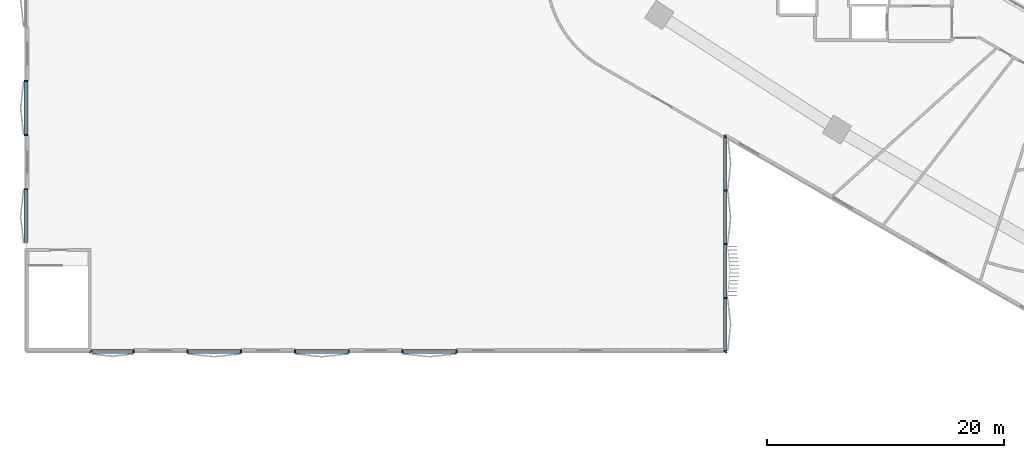
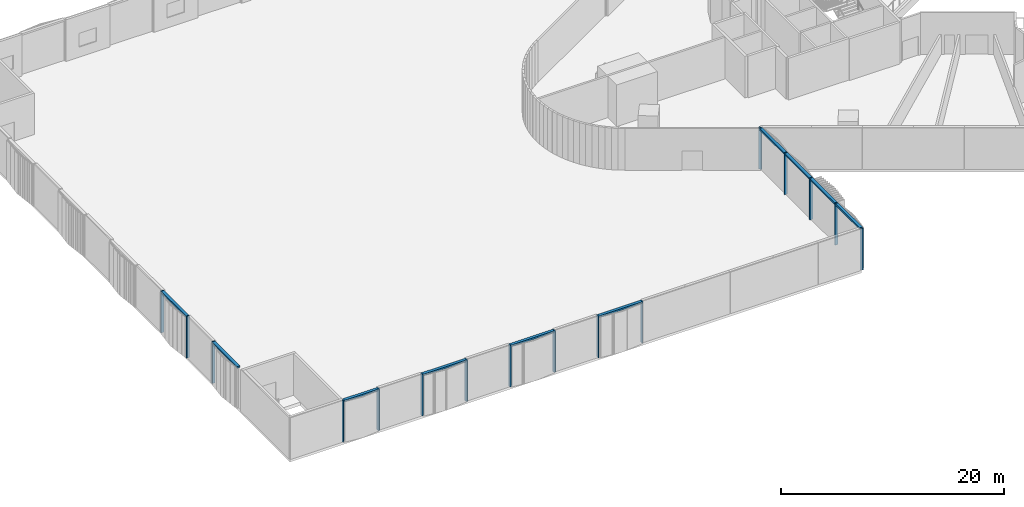
# One storey, part 2 of 24: 24 members, 3 elements without a shape of their own.
"""IFC4 building model written with IfcOpenShell, lengths in metres."""

from ifc_helpers import new_model, si_unit, direction, frame, origin, origin_2d, place, context, subcontext, project, spatial, rectangle, extrude, material, material_profile, profile_set, type_object, element, aggregate, save


model = new_model("IFC4")

# Units and contexts
model_context = context("Model", 3, precision=1e-05, world=origin(), true_north=direction((0.0, 1.0)))
body_context = subcontext(model_context, "Body", "Model", "MODEL_VIEW")
ifc_project = project(units=[si_unit("LENGTHUNIT", "METRE"), si_unit("AREAUNIT", "SQUARE_METRE"), si_unit("VOLUMEUNIT", "CUBIC_METRE"), si_unit("PLANEANGLEUNIT", "RADIAN"), si_unit("MASSUNIT", "GRAM", prefix="KILO")], contexts=[model_context])

# Site, building, storey
site_placement = place(None, origin())
site = spatial("IfcSite", under=ifc_project, at=site_placement, CompositionType="ELEMENT")
building_placement = place(site_placement, origin())
building = spatial("IfcBuilding", under=site, at=building_placement, Name="Tamra Quay Hotel Tower", CompositionType="ELEMENT")
storey_placement = place(building_placement, frame((0.0, 0.0, 19.5)))
storey = spatial("IfcBuildingStorey", under=building, at=storey_placement, Name="L03", CompositionType="ELEMENT", Elevation=19.5)

# Curtain wall, members
ifc_material = material(Name="Aluminium 6063 anodised dark grey", Category="aluminium")
curtain_wall_type = type_object("IfcCurtainWallType", Name="CW4 CURTAIN WALL", PredefinedType="NOTDEFINED", material=ifc_material)
curtain_wall_1_placement = place(storey_placement, origin())
curtain_wall_1 = element("IfcCurtainWall", 1, at=curtain_wall_1_placement, inside=storey, type_object=curtain_wall_type, Name="CW4 east face L03", PredefinedType="NOTDEFINED")
ifc_material_profile_1 = material_profile(ifc_material, rectangle(XDim=0.300048828125, YDim=0.1201171875, at=origin_2d()), Name="MULLION 120X300")
ifc_profile_set_1 = profile_set([ifc_material_profile_1], Name="Aluminium 6063 anodised dark grey")
member_type_1 = type_object("IfcMemberType", Name="MULLION CW4", PredefinedType="MULLION", material=ifc_profile_set_1)
member_1_placement = place(storey_placement, frame((-30.0, -32.0, 0.0), z_axis=(0.0, 0.0, 1.0), x_axis=(0.707106781187, -0.707106781187, 0.0)))
member_1 = element("IfcMember", 2, at=member_1_placement, type_object=member_type_1, Name="CW4 mullion L03.E.1", PredefinedType="MULLION", context=body_context, shape_type="SweptSolid", body=[
    extrude(rectangle(XDim=0.300048828125, YDim=0.1201171875, at=origin_2d()), origin(), (0.0, 0.0, 1.0), 4.550048828125),
])
member_2_placement = place(storey_placement, frame((-30.0, -27.464111328125, 0.0), z_axis=(0.0, 0.0, 1.0), x_axis=(1.0, 0.0, 0.0)))
member_2 = element("IfcMember", 3, at=member_2_placement, type_object=member_type_1, Name="CW4 mullion L03.E.2", PredefinedType="MULLION", context=body_context, shape_type="SweptSolid", body=[
    extrude(rectangle(XDim=0.300048828125, YDim=0.1201171875, at=origin_2d()), origin(), (0.0, 0.0, 1.0), 4.550048828125),
])
member_3_placement = place(storey_placement, frame((-30.0, -22.92822265625, 0.0), z_axis=(0.0, 0.0, 1.0), x_axis=(1.0, 0.0, 0.0)))
member_3 = element("IfcMember", 4, at=member_3_placement, type_object=member_type_1, Name="CW4 mullion L03.E.3", PredefinedType="MULLION", context=body_context, shape_type="SweptSolid", body=[
    extrude(rectangle(XDim=0.300048828125, YDim=0.1201171875, at=origin_2d()), origin(), (0.0, 0.0, 1.0), 4.550048828125),
])
member_4_placement = place(storey_placement, frame((-30.0, -18.392333984375, 0.0), z_axis=(0.0, 0.0, 1.0), x_axis=(1.0, 0.0, 0.0)))
member_4 = element("IfcMember", 5, at=member_4_placement, type_object=member_type_1, Name="CW4 mullion L03.E.4", PredefinedType="MULLION", context=body_context, shape_type="SweptSolid", body=[
    extrude(rectangle(XDim=0.300048828125, YDim=0.1201171875, at=origin_2d()), origin(), (0.0, 0.0, 1.0), 4.550048828125),
])
member_5_placement = place(storey_placement, frame((-30.0, -13.8564453125, 0.0), z_axis=(0.0, 0.0, 1.0), x_axis=(0.5, -0.866025403784, 0.0)))
member_5 = element("IfcMember", 6, at=member_5_placement, type_object=member_type_1, Name="CW4 mullion L03.E.5", PredefinedType="MULLION", context=body_context, shape_type="SweptSolid", body=[
    extrude(rectangle(XDim=0.300048828125, YDim=0.1201171875, at=origin_2d()), origin(), (0.0, 0.0, 1.0), 4.550048828125),
])

curtain_wall_2_placement = place(storey_placement, origin())
curtain_wall_2 = element("IfcCurtainWall", 7, at=curtain_wall_2_placement, inside=storey, type_object=curtain_wall_type, Name="CW4 south-west face L03", PredefinedType="NOTDEFINED")
member_6_placement = place(storey_placement, frame((-83.60009765625, -32.0, 0.0), z_axis=(0.0, 0.0, 1.0), x_axis=(-0.707106781187, -0.707106781187, 0.0)))
member_6 = element("IfcMember", 8, at=member_6_placement, type_object=member_type_1, Name="CW4 mullion L03.SW.1", PredefinedType="MULLION", context=body_context, shape_type="SweptSolid", body=[
    extrude(rectangle(XDim=0.300048828125, YDim=0.1201171875, at=origin_2d()), origin(), (0.0, 0.0, 1.0), 4.550048828125),
])
member_7_placement = place(storey_placement, frame((-80.0078125, -32.0, 0.0), z_axis=(0.0, 0.0, 1.0), x_axis=(0.0, -1.0, 0.0)))
member_7 = element("IfcMember", 9, at=member_7_placement, type_object=member_type_1, Name="CW4 mullion L03.SW.2", PredefinedType="MULLION", context=body_context, shape_type="SweptSolid", body=[
    extrude(rectangle(XDim=0.300048828125, YDim=0.1201171875, at=origin_2d()), origin(), (0.0, 0.0, 1.0), 4.550048828125),
])
member_8_placement = place(storey_placement, frame((-75.46142578125, -32.0, 0.0), z_axis=(0.0, 0.0, 1.0), x_axis=(0.0, -1.0, 0.0)))
member_8 = element("IfcMember", 10, at=member_8_placement, type_object=member_type_1, Name="CW4 mullion L03.SW.2", PredefinedType="MULLION", context=body_context, shape_type="SweptSolid", body=[
    extrude(rectangle(XDim=0.300048828125, YDim=0.1201171875, at=origin_2d()), origin(), (0.0, 0.0, 1.0), 4.550048828125),
])
member_9_placement = place(storey_placement, frame((-70.915283203125, -32.0, 0.0), z_axis=(0.0, 0.0, 1.0), x_axis=(0.0, -1.0, 0.0)))
member_9 = element("IfcMember", 11, at=member_9_placement, type_object=member_type_1, Name="CW4 mullion L03.SW.3", PredefinedType="MULLION", context=body_context, shape_type="SweptSolid", body=[
    extrude(rectangle(XDim=0.300048828125, YDim=0.1201171875, at=origin_2d()), origin(), (0.0, 0.0, 1.0), 4.550048828125),
])
member_10_placement = place(storey_placement, frame((-66.369140625, -32.0, 0.0), z_axis=(0.0, 0.0, 1.0), x_axis=(0.0, -1.0, 0.0)))
member_10 = element("IfcMember", 12, at=member_10_placement, type_object=member_type_1, Name="CW4 mullion L03.SW.3", PredefinedType="MULLION", context=body_context, shape_type="SweptSolid", body=[
    extrude(rectangle(XDim=0.300048828125, YDim=0.1201171875, at=origin_2d()), origin(), (0.0, 0.0, 1.0), 4.550048828125),
])
member_11_placement = place(storey_placement, frame((-61.822998046875, -32.0, 0.0), z_axis=(0.0, 0.0, 1.0), x_axis=(0.0, -1.0, 0.0)))
member_11 = element("IfcMember", 13, at=member_11_placement, type_object=member_type_1, Name="CW4 mullion L03.SW.4", PredefinedType="MULLION", context=body_context, shape_type="SweptSolid", body=[
    extrude(rectangle(XDim=0.300048828125, YDim=0.1201171875, at=origin_2d()), origin(), (0.0, 0.0, 1.0), 4.550048828125),
])
member_12_placement = place(storey_placement, frame((-57.27685546875, -32.0, 0.0), z_axis=(0.0, 0.0, 1.0), x_axis=(0.0, -1.0, 0.0)))
member_12 = element("IfcMember", 14, at=member_12_placement, type_object=member_type_1, Name="CW4 mullion L03.SW.4", PredefinedType="MULLION", context=body_context, shape_type="SweptSolid", body=[
    extrude(rectangle(XDim=0.300048828125, YDim=0.1201171875, at=origin_2d()), origin(), (0.0, 0.0, 1.0), 4.550048828125),
])
member_13_placement = place(storey_placement, frame((-52.730712890625, -32.0, 0.0), z_axis=(0.0, 0.0, 1.0), x_axis=(0.0, -1.0, 0.0)))
member_13 = element("IfcMember", 15, at=member_13_placement, type_object=member_type_1, Name="CW4 mullion L03.SW.5", PredefinedType="MULLION", context=body_context, shape_type="SweptSolid", body=[
    extrude(rectangle(XDim=0.300048828125, YDim=0.1201171875, at=origin_2d()), origin(), (0.0, 0.0, 1.0), 4.550048828125),
])

curtain_wall_3_placement = place(storey_placement, origin())
curtain_wall_3 = element("IfcCurtainWall", 16, at=curtain_wall_3_placement, inside=storey, type_object=curtain_wall_type, Name="CW4 west face L03", PredefinedType="NOTDEFINED")
member_14_placement = place(storey_placement, frame((-89.10009765625, -9.142822265625, 0.0), z_axis=(0.0, 0.0, 1.0), x_axis=(-1.0, 0.0, 0.0)))
member_14 = element("IfcMember", 17, at=member_14_placement, type_object=member_type_1, Name="CW4 mullion L03.W.4", PredefinedType="MULLION", context=body_context, shape_type="SweptSolid", body=[
    extrude(rectangle(XDim=0.300048828125, YDim=0.1201171875, at=origin_2d()), origin(), (0.0, 0.0, 1.0), 4.550048828125),
])
member_15_placement = place(storey_placement, frame((-89.10009765625, -13.71435546875, 0.0), z_axis=(0.0, 0.0, 1.0), x_axis=(-1.0, 0.0, 0.0)))
member_15 = element("IfcMember", 18, at=member_15_placement, type_object=member_type_1, Name="CW4 mullion L03.W.5", PredefinedType="MULLION", context=body_context, shape_type="SweptSolid", body=[
    extrude(rectangle(XDim=0.300048828125, YDim=0.1201171875, at=origin_2d()), origin(), (0.0, 0.0, 1.0), 4.550048828125),
])
member_16_placement = place(storey_placement, frame((-89.10009765625, -18.28564453125, 0.0), z_axis=(0.0, 0.0, 1.0), x_axis=(-1.0, 0.0, 0.0)))
member_16 = element("IfcMember", 19, at=member_16_placement, type_object=member_type_1, Name="CW4 mullion L03.W.5", PredefinedType="MULLION", context=body_context, shape_type="SweptSolid", body=[
    extrude(rectangle(XDim=0.300048828125, YDim=0.1201171875, at=origin_2d()), origin(), (0.0, 0.0, 1.0), 4.550048828125),
])

# Member
ifc_material_profile_2 = material_profile(ifc_material, rectangle(XDim=0.300048828125, YDim=0.179931640625, at=origin_2d()), Name="TRANSOM 300X180")
ifc_profile_set_2 = profile_set([ifc_material_profile_2], Name="Aluminium 6063 anodised dark grey")
member_type_2 = type_object("IfcMemberType", Name="TRANSOM CW4", PredefinedType="USERDEFINED", material=ifc_profile_set_2)
member_17_placement = place(storey_placement, frame((-30.0, -31.93994140625, 4.4599609375), z_axis=(0.0, 1.0, 0.0), x_axis=(-1.0, 0.0, 0.0)))
member_17 = element("IfcMember", 20, at=member_17_placement, type_object=member_type_2, Name="CW4 transom L03.E.1", ObjectType="TRANSOM", PredefinedType="USERDEFINED", context=body_context, shape_type="SweptSolid", body=[
    extrude(rectangle(XDim=0.300048828125, YDim=0.179931640625, at=origin_2d()), origin(), (0.0, 0.0, 1.0), 13.487548828125),
])

member_18_placement = place(storey_placement, frame((-30.0, -18.332275390625, 4.4599609375), z_axis=(0.0, 1.0, 0.0), x_axis=(-1.0, 0.0, 0.0)))
member_18 = element("IfcMember", 21, at=member_18_placement, type_object=member_type_2, Name="CW4 transom L03.E.4", ObjectType="TRANSOM", PredefinedType="USERDEFINED", context=body_context, shape_type="SweptSolid", body=[
    extrude(rectangle(XDim=0.300048828125, YDim=0.179931640625, at=origin_2d()), origin(), (0.0, 0.0, 1.0), 4.415771484375),
])

aggregate(curtain_wall_1, [member_1, member_17, member_2, member_3, member_4, member_18, member_5])

member_19_placement = place(storey_placement, frame((-83.5400390625, -32.0, 4.4599609375), z_axis=(1.0, 0.0, 0.0), x_axis=(0.0, 1.0, 0.0)))
member_19 = element("IfcMember", 22, at=member_19_placement, type_object=member_type_2, Name="CW4 transom L03.SW.1", ObjectType="TRANSOM", PredefinedType="USERDEFINED", context=body_context, shape_type="SweptSolid", body=[
    extrude(rectangle(XDim=0.300048828125, YDim=0.179931640625, at=origin_2d()), origin(), (0.0, 0.0, 1.0), 3.472412109375),
])

member_20_placement = place(storey_placement, frame((-75.401611328125, -32.0, 4.4599609375), z_axis=(1.0, 0.0, 0.0), x_axis=(0.0, 1.0, 0.0)))
member_20 = element("IfcMember", 23, at=member_20_placement, type_object=member_type_2, Name="CW4 transom L03.SW.2", ObjectType="TRANSOM", PredefinedType="USERDEFINED", context=body_context, shape_type="SweptSolid", body=[
    extrude(rectangle(XDim=0.300048828125, YDim=0.179931640625, at=origin_2d()), origin(), (0.0, 0.0, 1.0), 4.42626953125),
])

member_21_placement = place(storey_placement, frame((-66.309326171875, -32.0, 4.4599609375), z_axis=(1.0, 0.0, 0.0), x_axis=(0.0, 1.0, 0.0)))
member_21 = element("IfcMember", 24, at=member_21_placement, type_object=member_type_2, Name="CW4 transom L03.SW.3", ObjectType="TRANSOM", PredefinedType="USERDEFINED", context=body_context, shape_type="SweptSolid", body=[
    extrude(rectangle(XDim=0.300048828125, YDim=0.179931640625, at=origin_2d()), origin(), (0.0, 0.0, 1.0), 4.42626953125),
])

member_22_placement = place(storey_placement, frame((-57.217041015625, -32.0, 4.4599609375), z_axis=(1.0, 0.0, 0.0), x_axis=(0.0, 1.0, 0.0)))
member_22 = element("IfcMember", 25, at=member_22_placement, type_object=member_type_2, Name="CW4 transom L03.SW.4", ObjectType="TRANSOM", PredefinedType="USERDEFINED", context=body_context, shape_type="SweptSolid", body=[
    extrude(rectangle(XDim=0.300048828125, YDim=0.179931640625, at=origin_2d()), origin(), (0.0, 0.0, 1.0), 4.42626953125),
])

aggregate(curtain_wall_2, [member_6, member_19, member_7, member_8, member_20, member_9, member_10, member_21, member_11, member_12, member_22, member_13])

member_23_placement = place(storey_placement, frame((-89.10009765625, -9.202880859375, 4.4599609375), z_axis=(0.0, -1.0, 0.0), x_axis=(1.0, 0.0, 0.0)))
member_23 = element("IfcMember", 26, at=member_23_placement, type_object=member_type_2, Name="CW4 transom L03.W.4", ObjectType="TRANSOM", PredefinedType="USERDEFINED", context=body_context, shape_type="SweptSolid", body=[
    extrude(rectangle(XDim=0.300048828125, YDim=0.179931640625, at=origin_2d()), origin(), (0.0, 0.0, 1.0), 4.451416015625),
])

member_24_placement = place(storey_placement, frame((-89.10009765625, -18.345703125, 4.4599609375), z_axis=(0.0, -1.0, 0.0), x_axis=(1.0, 0.0, 0.0)))
member_24 = element("IfcMember", 27, at=member_24_placement, type_object=member_type_2, Name="CW4 transom L03.W.5", ObjectType="TRANSOM", PredefinedType="USERDEFINED", context=body_context, shape_type="SweptSolid", body=[
    extrude(rectangle(XDim=0.300048828125, YDim=0.179931640625, at=origin_2d()), origin(), (0.0, 0.0, 1.0), 4.451416015625),
])

aggregate(curtain_wall_3, [member_14, member_23, member_15, member_16, member_24])

save(model, "model.ifc")
